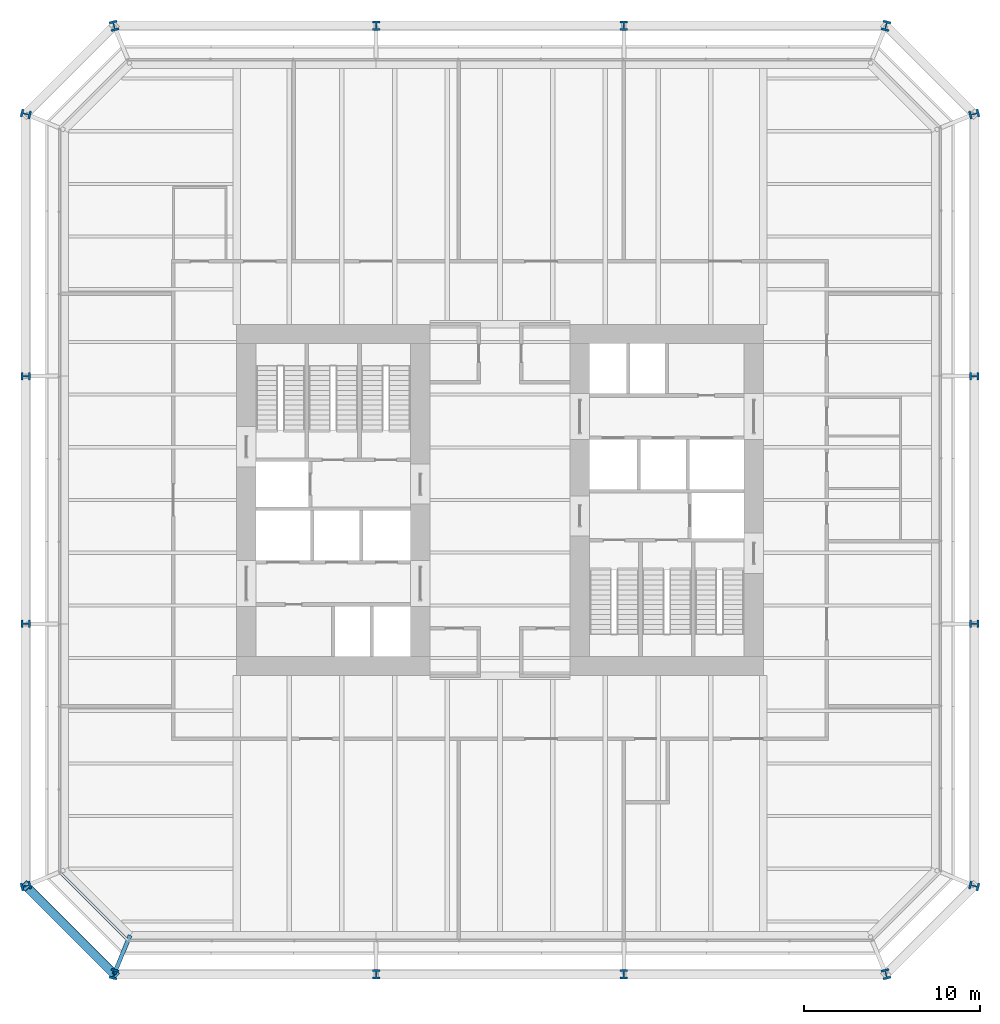
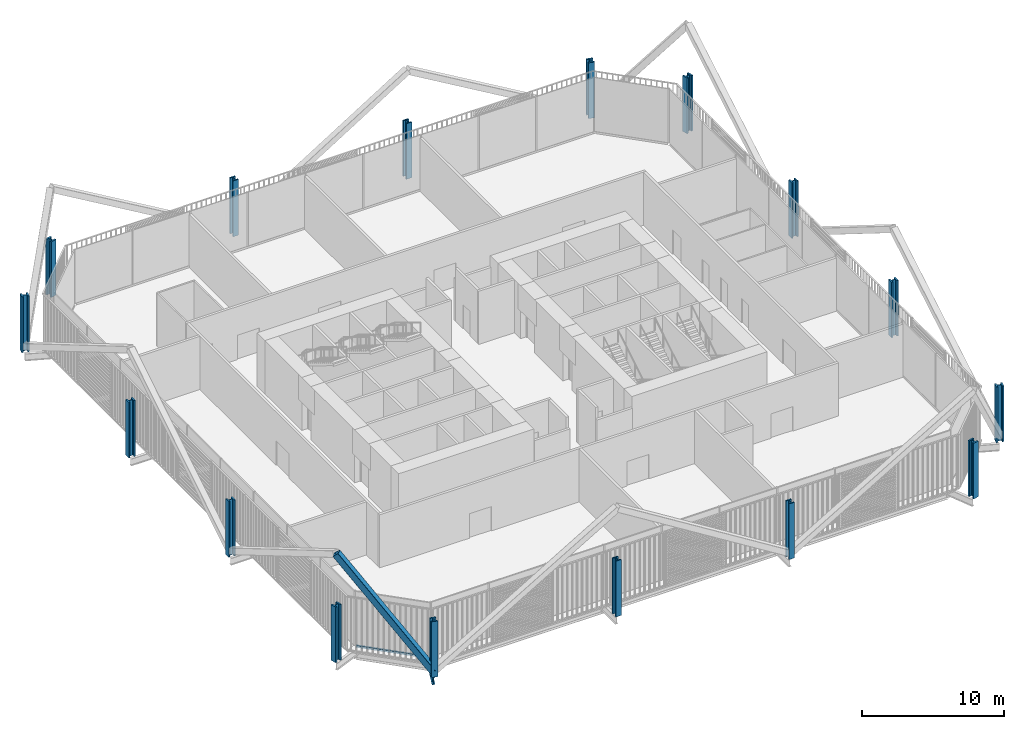
# One storey, part 1 of 22: 16 columns, 2 members, 1 beam, 1 element without a shape of its own.
"""IFC4 building model written with IfcOpenShell, lengths in metres."""

from ifc_helpers import new_model, si_unit, direction, frame, origin, origin_2d, place, context, subcontext, project, spatial, rectangle, hollow_rectangle, i_section, extrude, material, layer, layer_set, material_profile, profile_set, type_object, element, aggregate, save


model = new_model("IFC4")

# Units and contexts
model_context = context("Model", 3, precision=1e-05, world=origin(), true_north=direction((0.0, 1.0)))
body_context = subcontext(model_context, "Body", "Model", "MODEL_VIEW")
ifc_project = project(units=[si_unit("LENGTHUNIT", "METRE"), si_unit("AREAUNIT", "SQUARE_METRE"), si_unit("VOLUMEUNIT", "CUBIC_METRE"), si_unit("PLANEANGLEUNIT", "RADIAN"), si_unit("MASSUNIT", "GRAM", prefix="KILO")], contexts=[model_context])

# Site, building, storey
site_placement = place(None, origin())
site = spatial("IfcSite", under=ifc_project, at=site_placement, CompositionType="ELEMENT")
building_placement = place(site_placement, origin())
building = spatial("IfcBuilding", under=site, at=building_placement, Name="Millrace Tower", CompositionType="ELEMENT")
storey_placement = place(building_placement, frame((0.0, 0.0, 44.89990234375)))
storey = spatial("IfcBuildingStorey", under=building, at=storey_placement, Name="L10", CompositionType="ELEMENT", Elevation=44.89990234375)

# Columns
ifc_material_1 = material(Name="Steel ASTM A913 Grade 65", Category="steel")
ifc_material_profile_1 = material_profile(ifc_material_1, i_section(OverallWidth=0.44189453125, OverallDepth=0.53076171875, WebThickness=0.06591796875, FlangeThickness=0.105712890625, FilletRadius=0.01513671875, at=origin_2d()))
ifc_profile_set_1 = profile_set([ifc_material_profile_1], Name="Steel ASTM A913 Grade 65")
column_type_1 = type_object("IfcColumnType", Name="Exoskeleton column W14x605", PredefinedType="COLUMN", material=ifc_profile_set_1)
for number, where, z_axis, x_axis, name in (
    (1, (-7.050048828125, -27.0, 0.0), (0.0, 0.0, 1.0), (1.0, 0.0, 0.0), "COL-A-L10-X03"),
    (2, (7.050048828125, -27.0, 0.0), (0.0, 0.0, 1.0), (1.0, 0.0, 0.0), "COL-A-L10-X04"),
    (3, (27.0, -7.050048828125, 0.0), (0.0, 0.0, 1.0), (0.0, 1.0, 0.0), "COL-A-L10-X07"),
    (4, (27.0, 7.050048828125, 0.0), (0.0, 0.0, 1.0), (0.0, 1.0, 0.0), "COL-A-L10-X08"),
    (5, (7.050048828125, 27.0, 0.0), (0.0, 0.0, 1.0), (-1.0, 0.0, 0.0), "COL-A-L10-X11"),
    (6, (-7.050048828125, 27.0, 0.0), (0.0, 0.0, 1.0), (-1.0, 0.0, 0.0), "COL-A-L10-X12"),
    (7, (-27.0, 7.050048828125, 0.0), (0.0, 0.0, 1.0), (0.0, -1.0, 0.0), "COL-A-L10-X15"),
    (8, (-27.0, -7.050048828125, 0.0), (0.0, 0.0, 1.0), (0.0, -1.0, 0.0), "COL-A-L10-X16"),
):
    element("IfcColumn", number, at=place(storey_placement, frame(where, z_axis=z_axis, x_axis=x_axis)), inside=storey, type_object=column_type_1, Name=name, PredefinedType="COLUMN", context=body_context, shape_type="SweptSolid", body=[
        extrude(i_section(OverallWidth=0.44189453125, OverallDepth=0.53076171875, WebThickness=0.06591796875, FlangeThickness=0.105712890625, FilletRadius=0.01513671875, at=origin_2d()), origin(), (0.0, 0.0, 1.0), 4.800048828125),
    ])
ifc_material_2 = material(Name="Steel ASTM A913 Grade 65", Category="steel")
ifc_material_profile_2 = material_profile(ifc_material_2, i_section(OverallWidth=0.45458984375, OverallDepth=0.56884765625, WebThickness=0.077880859375, FlangeThickness=0.124755859375, FilletRadius=0.01513671875, at=origin_2d()))
ifc_profile_set_2 = profile_set([ifc_material_profile_2], Name="Steel ASTM A913 Grade 65")
column_type_2 = type_object("IfcColumnType", Name="Exoskeleton column W14x730", PredefinedType="COLUMN", material=ifc_profile_set_2)
for number, where, z_axis, x_axis, name in (
    (9, (-27.0, -21.978515625, 0.0), (0.0, 0.0, 1.0), (0.244094142872, -0.969751540043, 0.0), "COL-A-L10-X01"),
    (10, (-21.978515625, -27.0, 0.0), (0.0, 0.0, 1.0), (0.969751540043, -0.244094142872, 0.0), "COL-A-L10-X02"),
    (11, (21.978515625, -27.0, 0.0), (0.0, 0.0, 1.0), (0.969751540043, 0.244094142872, 0.0), "COL-A-L10-X05"),
    (12, (27.0, -21.978515625, 0.0), (0.0, 0.0, 1.0), (0.244094142872, 0.969751540043, 0.0), "COL-A-L10-X06"),
    (13, (27.0, 21.978515625, 0.0), (0.0, 0.0, 1.0), (-0.244094142872, 0.969751540043, 0.0), "COL-A-L10-X09"),
    (14, (21.978515625, 27.0, 0.0), (0.0, 0.0, 1.0), (-0.969751540043, 0.244094142872, 0.0), "COL-A-L10-X10"),
    (15, (-21.978515625, 27.0, 0.0), (0.0, 0.0, 1.0), (-0.969751540043, -0.244094142872, 0.0), "COL-A-L10-X13"),
    (16, (-27.0, 21.978515625, 0.0), (0.0, 0.0, 1.0), (-0.244094142872, -0.969751540043, 0.0), "COL-A-L10-X14"),
):
    element("IfcColumn", number, at=place(storey_placement, frame(where, z_axis=z_axis, x_axis=x_axis)), inside=storey, type_object=column_type_2, Name=name, PredefinedType="COLUMN", context=body_context, shape_type="SweptSolid", body=[
        extrude(i_section(OverallWidth=0.45458984375, OverallDepth=0.56884765625, WebThickness=0.077880859375, FlangeThickness=0.124755859375, FilletRadius=0.01513671875, at=origin_2d()), origin(), (0.0, 0.0, 1.0), 4.800048828125),
    ])

# Curtain wall, member
ifc_material_3 = material(Name="Aluminium and glass", Category="aluminium")
ifc_layer = layer(ifc_material_3, 0.14990234375)
ifc_layer_set = layer_set([ifc_layer], Name="Aluminium and glass")
curtain_wall_type = type_object("IfcCurtainWallType", Name="CW-2 data hall insulated curtain wall", PredefinedType="NOTDEFINED", material=ifc_layer_set)
curtain_wall_placement = place(storey_placement, origin())
curtain_wall = element("IfcCurtainWall", 17, at=curtain_wall_placement, inside=storey, type_object=curtain_wall_type, Name="Curtain wall A-F01 L10", PredefinedType="NOTDEFINED")
ifc_material_4 = material(Name="Aluminium", Category="aluminium")
ifc_material_profile_3 = material_profile(ifc_material_4, rectangle(XDim=0.14990234375, YDim=0.159912109375, at=origin_2d()))
ifc_profile_set_3 = profile_set([ifc_material_profile_3], Name="Aluminium")
member_type_1 = type_object("IfcMemberType", Name="CW-2 data hall insulated curtain wall transom", PredefinedType="USERDEFINED", material=ifc_profile_set_3)
member_1_placement = place(storey_placement, frame((-24.982421875, -21.273681640625, 0.080078125), z_axis=(0.707106781187, -0.707106781187, 0.0), x_axis=(0.707106781187, 0.707106781187, 0.0)))
member_1 = element("IfcMember", 18, at=member_1_placement, type_object=member_type_1, Name="CW2 transom A-F01.1", ObjectType="TRANSOM", PredefinedType="USERDEFINED", context=body_context, shape_type="SweptSolid", body=[
    extrude(rectangle(XDim=0.14990234375, YDim=0.159912109375, at=origin_2d()), origin(), (0.0, 0.0, 1.0), 5.244873046875),
])
aggregate(curtain_wall, [member_1])

# Member
ifc_material_5 = material(Name="Steel ASTM A500 Grade C", Category="steel")
ifc_material_profile_4 = material_profile(ifc_material_5, hollow_rectangle(XDim=0.508056640625, YDim=0.508056640625, WallThickness=0.01904296875, InnerFilletRadius=0.009521484375, OuterFilletRadius=0.028564453125, at=origin_2d()))
ifc_profile_set_4 = profile_set([ifc_material_profile_4], Name="Steel ASTM A500 Grade C")
member_type_2 = type_object("IfcMemberType", Name="Exoskeleton brace HSS20x20x3/4", PredefinedType="BRACE", material=ifc_profile_set_4)
member_2_placement = place(storey_placement, frame((-21.978515625, -27.0, 0.400146484375), z_axis=(-0.444063713793, 0.444063713793, 0.77821259061), x_axis=(-0.707106781187, -0.707106781187, 0.0)))
element("IfcMember", 19, at=member_2_placement, inside=storey, type_object=member_type_2, Name="BRC-A-L10-01", PredefinedType="BRACE", context=body_context, shape_type="SweptSolid", body=[
    extrude(hollow_rectangle(XDim=0.508056640625, YDim=0.508056640625, WallThickness=0.01904296875, InnerFilletRadius=0.009521484375, OuterFilletRadius=0.028564453125, at=origin_2d()), origin(), (0.0, 0.0, 1.0), 11.30810546875),
])

# Beam
ifc_material_6 = material(Name="Steel ASTM A992 Grade 50", Category="steel")
ifc_material_profile_5 = material_profile(ifc_material_6, i_section(OverallWidth=0.23046875, OverallDepth=0.6171875, WebThickness=0.01318359375, FlangeThickness=0.022216796875, FilletRadius=0.012939453125, at=origin_2d()))
ifc_profile_set_5 = profile_set([ifc_material_profile_5], Name="Steel ASTM A992 Grade 50")
beam_type = type_object("IfcBeamType", Name="Link beam W24x94", PredefinedType="BEAM", material=ifc_profile_set_5)
beam_placement = place(storey_placement, frame((-21.062744140625, -24.7890625, -0.533447265625), z_axis=(-0.382673155247, -0.923883789366, 0.0), x_axis=(0.923883789366, -0.382673155247, 0.0)))
element("IfcBeam", 20, at=beam_placement, inside=storey, type_object=beam_type, Name="LNK-A-L10-S1-16", PredefinedType="BEAM", context=body_context, shape_type="SweptSolid", body=[
    extrude(i_section(OverallWidth=0.23046875, OverallDepth=0.6171875, WebThickness=0.01318359375, FlangeThickness=0.022216796875, FilletRadius=0.012939453125, at=origin_2d()), origin(), (0.0, 0.0, 1.0), 2.39306640625),
])

save(model, "model.ifc")
